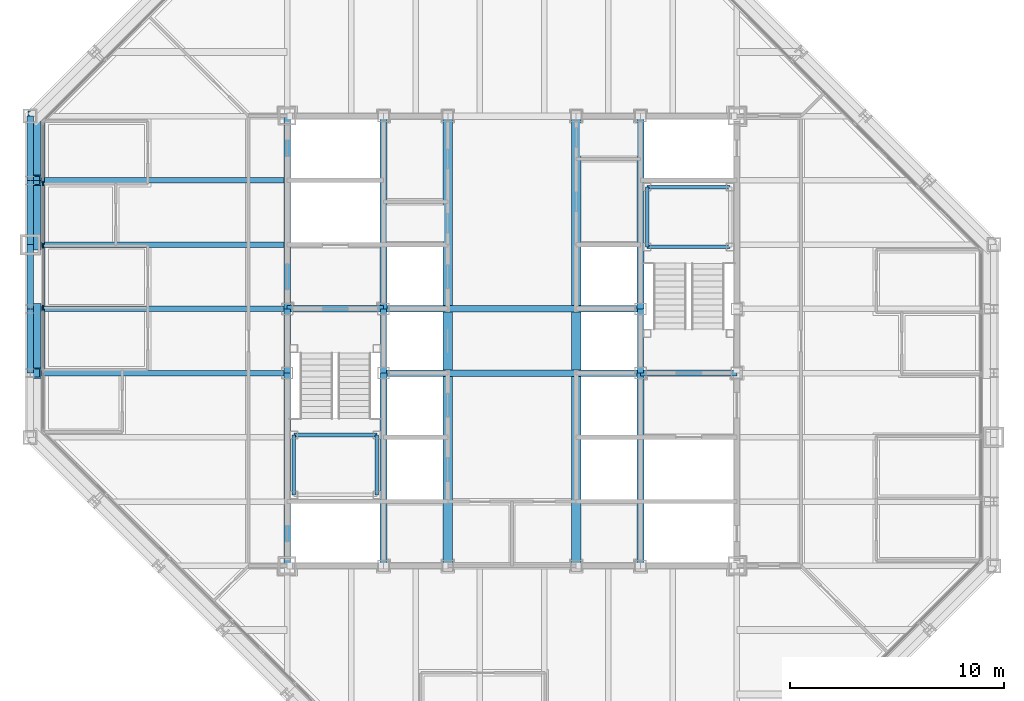
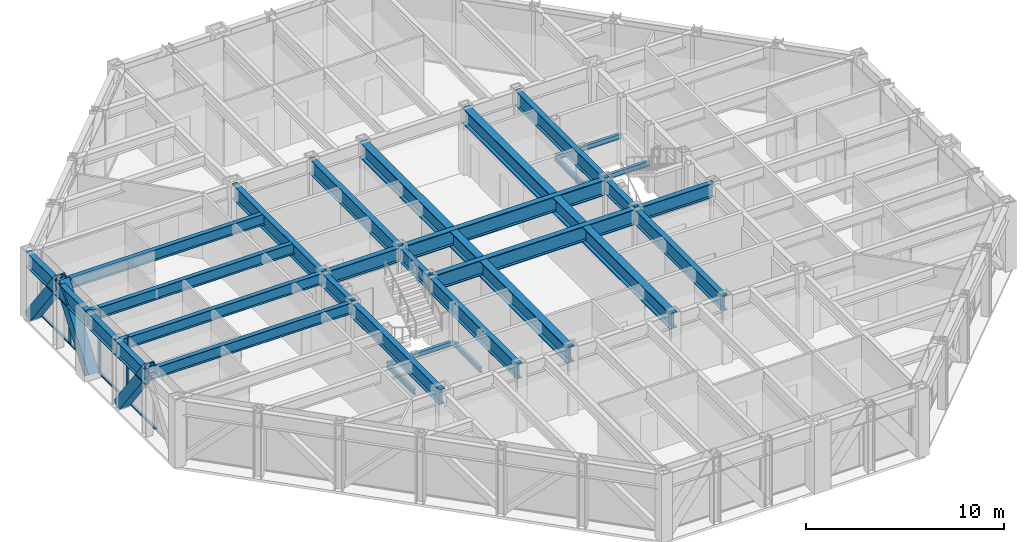
# One storey, part 6 of 16: 33 beams, 10 members, 1 element without a shape of its own.
"""IFC4 building model written with IfcOpenShell, lengths in metres."""

from ifc_helpers import new_model, si_unit, direction, frame, origin, origin_2d, place, context, subcontext, project, spatial, rectangle, hollow_rectangle, i_section, extrude, material, layer, layer_set, material_profile, profile_set, type_object, element, aggregate, save


model = new_model("IFC4")

# Units and contexts
model_context = context("Model", 3, precision=1e-05, world=origin(), true_north=direction((0.0, 1.0)))
body_context = subcontext(model_context, "Body", "Model", "MODEL_VIEW")
ifc_project = project(units=[si_unit("LENGTHUNIT", "METRE"), si_unit("AREAUNIT", "SQUARE_METRE"), si_unit("VOLUMEUNIT", "CUBIC_METRE"), si_unit("PLANEANGLEUNIT", "RADIAN"), si_unit("MASSUNIT", "GRAM", prefix="KILO")], contexts=[model_context])

# Site, building, storey
site_placement = place(None, origin())
site = spatial("IfcSite", under=ifc_project, at=site_placement, CompositionType="ELEMENT")
building_placement = place(site_placement, origin())
building = spatial("IfcBuilding", under=site, at=building_placement, Name="Chuquiago Exchange Tower", CompositionType="ELEMENT")
storey_placement = place(building_placement, frame((0.0, 0.0, 222.300048828125)))
storey = spatial("IfcBuildingStorey", under=building, at=storey_placement, Name="L49", CompositionType="ELEMENT", Elevation=222.300048828125)

# Beams
ifc_material_1 = material(Name="Steel ASTM A992", Category="steel")
ifc_material_profile_1 = material_profile(ifc_material_1, i_section(OverallWidth=0.25390625, OverallDepth=0.683349609375, WebThickness=0.012451171875, FlangeThickness=0.018798828125, at=origin_2d()), Name="W27X94")
ifc_profile_set_1 = profile_set([ifc_material_profile_1], Name="Steel ASTM A992")
beam_type_1 = type_object("IfcBeamType", Name="B1 W27X94", PredefinedType="BEAM", material=ifc_profile_set_1)
for number, where, z_axis, x_axis, name in (
    (1, (12.0, 21.0, 3.6982421875), (-1.0, 0.0, 0.0), (0.0, -1.0, 0.0), "FB-L50-infill-12_21--0_21-0"),
    (2, (12.0, 24.0, 3.6982421875), (-1.0, 0.0, 0.0), (0.0, -1.0, 0.0), "FB-L50-infill-12_24--0_24-0"),
    (3, (12.0, 27.0, 3.6982421875), (-1.0, 0.0, 0.0), (0.0, -1.0, 0.0), "FB-L50-infill-12_27--0_27-0"),
    (4, (12.0, 30.0, 3.6982421875), (-1.0, 0.0, 0.0), (0.0, -1.0, 0.0), "FB-L50-infill-12_30--0_30-0"),
):
    element("IfcBeam", number, at=place(storey_placement, frame(where, z_axis=z_axis, x_axis=x_axis)), inside=storey, type_object=beam_type_1, Name=name, PredefinedType="BEAM", context=body_context, shape_type="SweptSolid", body=[
        extrude(i_section(OverallWidth=0.25390625, OverallDepth=0.683349609375, WebThickness=0.012451171875, FlangeThickness=0.018798828125, at=origin_2d()), origin(), (0.0, 0.0, 1.0), 12.0),
    ])
ifc_material_2 = material(Name="Steel ASTM A992", Category="steel")
ifc_material_profile_2 = material_profile(ifc_material_2, i_section(OverallWidth=0.307373046875, OverallDepth=0.927001953125, WebThickness=0.01953125, FlangeThickness=0.031982421875, at=origin_2d()), Name="W36X194")
ifc_profile_set_2 = profile_set([ifc_material_profile_2], Name="Steel ASTM A992")
beam_type_2 = type_object("IfcBeamType", Name="B10 W36X194", PredefinedType="BEAM", material=ifc_profile_set_2)
for number, where, z_axis, x_axis, name in (
    (5, (12.0, 12.0, 3.576416015625), (0.0, 1.0, 0.0), (-1.0, 0.0, 0.0), "CB-L50-12_12-12_21"),
    (6, (12.0, 24.0, 3.576416015625), (0.0, 1.0, 0.0), (-1.0, 0.0, 0.0), "CB-L50-12_24-12_33"),
    (7, (16.5, 12.0, 3.576416015625), (0.0, 1.0, 0.0), (-1.0, 0.0, 0.0), "CB-L50-16.5_12-16.5_21"),
    (8, (16.5, 24.0, 3.576416015625), (0.0, 1.0, 0.0), (-1.0, 0.0, 0.0), "CB-L50-16.5_24-16.5_33"),
    (9, (28.5, 12.0, 3.576416015625), (0.0, 1.0, 0.0), (-1.0, 0.0, 0.0), "CB-L50-28.5_12-28.5_21"),
    (10, (28.5, 24.0, 3.576416015625), (0.0, 1.0, 0.0), (-1.0, 0.0, 0.0), "CB-L50-28.5_24-28.5_33"),
):
    element("IfcBeam", number, at=place(storey_placement, frame(where, z_axis=z_axis, x_axis=x_axis)), inside=storey, type_object=beam_type_2, Name=name, PredefinedType="BEAM", context=body_context, shape_type="SweptSolid", body=[
        extrude(i_section(OverallWidth=0.307373046875, OverallDepth=0.927001953125, WebThickness=0.01953125, FlangeThickness=0.031982421875, at=origin_2d()), origin(), (0.0, 0.0, 1.0), 9.0),
    ])
ifc_material_3 = material(Name="Steel ASTM A992", Category="steel")
ifc_material_profile_3 = material_profile(ifc_material_3, i_section(OverallWidth=0.309814453125, OverallDepth=0.949951171875, WebThickness=0.0244140625, FlangeThickness=0.0439453125, at=origin_2d()), Name="W36X256")
ifc_profile_set_3 = profile_set([ifc_material_profile_3], Name="Steel ASTM A992")
beam_type_3 = type_object("IfcBeamType", Name="B11 W36X256", PredefinedType="BEAM", material=ifc_profile_set_3)
for number, where, z_axis, x_axis, name in (
    (11, (16.5, 21.0, 3.56494140625), (1.0, 0.0, 0.0), (0.0, 1.0, 0.0), "CB-L50-16.5_21-28.5_21"),
    (12, (16.5, 24.0, 3.56494140625), (1.0, 0.0, 0.0), (0.0, 1.0, 0.0), "CB-L50-16.5_24-28.5_24"),
):
    element("IfcBeam", number, at=place(storey_placement, frame(where, z_axis=z_axis, x_axis=x_axis)), inside=storey, type_object=beam_type_3, Name=name, PredefinedType="BEAM", context=body_context, shape_type="SweptSolid", body=[
        extrude(i_section(OverallWidth=0.309814453125, OverallDepth=0.949951171875, WebThickness=0.0244140625, FlangeThickness=0.0439453125, at=origin_2d()), origin(), (0.0, 0.0, 1.0), 12.0),
    ])
ifc_material_4 = material(Name="Steel ASTM A992", Category="steel")
ifc_material_profile_4 = material_profile(ifc_material_4, i_section(OverallWidth=0.4267578125, OverallDepth=0.975341796875, WebThickness=0.031005859375, FlangeThickness=0.055908203125, at=origin_2d()), Name="W36X395")
ifc_profile_set_4 = profile_set([ifc_material_profile_4], Name="Steel ASTM A992")
beam_type_4 = type_object("IfcBeamType", Name="B12 W36X395", PredefinedType="BEAM", material=ifc_profile_set_4)
beam_1_placement = place(storey_placement, frame((19.5, 12.0, 3.55224609375), z_axis=(0.0, 1.0, 0.0), x_axis=(-1.0, 0.0, 0.0)))
element("IfcBeam", 13, at=beam_1_placement, inside=storey, type_object=beam_type_4, Name="CB-L50-19.5_12-19.5_20.8451", PredefinedType="BEAM", context=body_context, shape_type="SweptSolid", body=[
    extrude(i_section(OverallWidth=0.4267578125, OverallDepth=0.975341796875, WebThickness=0.031005859375, FlangeThickness=0.055908203125, at=origin_2d()), origin(), (0.0, 0.0, 1.0), 8.84521484375),
])
beam_2_placement = place(storey_placement, frame((19.5, 21.15478515625, 3.55224609375), z_axis=(0.0, 1.0, 0.0), x_axis=(-1.0, 0.0, 0.0)))
element("IfcBeam", 14, at=beam_2_placement, inside=storey, type_object=beam_type_4, Name="CB-L50-19.5_21.1549-19.5_23.8451", PredefinedType="BEAM", context=body_context, shape_type="SweptSolid", body=[
    extrude(i_section(OverallWidth=0.4267578125, OverallDepth=0.975341796875, WebThickness=0.031005859375, FlangeThickness=0.055908203125, at=origin_2d()), origin(), (0.0, 0.0, 1.0), 2.6904296875),
])
for number, where, z_axis, x_axis, name in (
    (15, (19.5, 24.15478515625, 3.55224609375), (0.0, 1.0, 0.0), (-1.0, 0.0, 0.0), "CB-L50-19.5_24.1549-19.5_33"),
    (16, (25.5, 12.0, 3.55224609375), (0.0, 1.0, 0.0), (-1.0, 0.0, 0.0), "CB-L50-25.5_12-25.5_20.8451"),
):
    element("IfcBeam", number, at=place(storey_placement, frame(where, z_axis=z_axis, x_axis=x_axis)), inside=storey, type_object=beam_type_4, Name=name, PredefinedType="BEAM", context=body_context, shape_type="SweptSolid", body=[
        extrude(i_section(OverallWidth=0.4267578125, OverallDepth=0.975341796875, WebThickness=0.031005859375, FlangeThickness=0.055908203125, at=origin_2d()), origin(), (0.0, 0.0, 1.0), 8.84521484375),
    ])
beam_3_placement = place(storey_placement, frame((25.5, 21.15478515625, 3.55224609375), z_axis=(0.0, 1.0, 0.0), x_axis=(-1.0, 0.0, 0.0)))
element("IfcBeam", 17, at=beam_3_placement, inside=storey, type_object=beam_type_4, Name="CB-L50-25.5_21.1549-25.5_23.8451", PredefinedType="BEAM", context=body_context, shape_type="SweptSolid", body=[
    extrude(i_section(OverallWidth=0.4267578125, OverallDepth=0.975341796875, WebThickness=0.031005859375, FlangeThickness=0.055908203125, at=origin_2d()), origin(), (0.0, 0.0, 1.0), 2.6904296875),
])
beam_4_placement = place(storey_placement, frame((25.5, 24.15478515625, 3.55224609375), z_axis=(0.0, 1.0, 0.0), x_axis=(-1.0, 0.0, 0.0)))
element("IfcBeam", 18, at=beam_4_placement, inside=storey, type_object=beam_type_4, Name="CB-L50-25.5_24.1549-25.5_33", PredefinedType="BEAM", context=body_context, shape_type="SweptSolid", body=[
    extrude(i_section(OverallWidth=0.4267578125, OverallDepth=0.975341796875, WebThickness=0.031005859375, FlangeThickness=0.055908203125, at=origin_2d()), origin(), (0.0, 0.0, 1.0), 8.84521484375),
])
ifc_material_5 = material(Name="Steel ASTM A992", Category="steel")
ifc_material_profile_5 = material_profile(ifc_material_5, i_section(OverallWidth=0.2919921875, OverallDepth=0.8583984375, WebThickness=0.01708984375, FlangeThickness=0.031005859375, at=origin_2d()), Name="W33X169")
ifc_profile_set_5 = profile_set([ifc_material_profile_5], Name="Steel ASTM A992")
beam_type_5 = type_object("IfcBeamType", Name="B3 W33X169", PredefinedType="BEAM", material=ifc_profile_set_5)
for number, where, z_axis, x_axis, name in (
    (19, (12.0, 21.0, 3.610595703125), (0.0, 1.0, 0.0), (-1.0, 0.0, 0.0), "CB-L50-12_21-12_24"),
    (20, (16.5, 21.0, 3.610595703125), (0.0, 1.0, 0.0), (-1.0, 0.0, 0.0), "CB-L50-16.5_21-16.5_24"),
    (21, (28.5, 21.0, 3.610595703125), (0.0, 1.0, 0.0), (-1.0, 0.0, 0.0), "CB-L50-28.5_21-28.5_24"),
):
    element("IfcBeam", number, at=place(storey_placement, frame(where, z_axis=z_axis, x_axis=x_axis)), inside=storey, type_object=beam_type_5, Name=name, PredefinedType="BEAM", context=body_context, shape_type="SweptSolid", body=[
        extrude(i_section(OverallWidth=0.2919921875, OverallDepth=0.8583984375, WebThickness=0.01708984375, FlangeThickness=0.031005859375, at=origin_2d()), origin(), (0.0, 0.0, 1.0), 3.0),
    ])
for number, where, z_axis, x_axis, name in (
    (22, (28.5, 21.0, 3.610595703125), (1.0, 0.0, 0.0), (0.0, 1.0, 0.0), "CB-L50-28.5_21-33_21"),
    (23, (12.0, 24.0, 3.610595703125), (1.0, 0.0, 0.0), (0.0, 1.0, 0.0), "CB-L50-12_24-16.5_24"),
):
    element("IfcBeam", number, at=place(storey_placement, frame(where, z_axis=z_axis, x_axis=x_axis)), inside=storey, type_object=beam_type_5, Name=name, PredefinedType="BEAM", context=body_context, shape_type="SweptSolid", body=[
        extrude(i_section(OverallWidth=0.2919921875, OverallDepth=0.8583984375, WebThickness=0.01708984375, FlangeThickness=0.031005859375, at=origin_2d()), origin(), (0.0, 0.0, 1.0), 4.5),
    ])

# Curtain wall, members
ifc_material_6 = material(Name="Aluminium curtain wall system", Category="aluminium")
ifc_layer = layer(ifc_material_6, 0.22509765625)
ifc_layer_set = layer_set([ifc_layer], Name="CW2 office curtain wall")
curtain_wall_type = type_object("IfcCurtainWallType", Name="CW2 office curtain wall", PredefinedType="NOTDEFINED", material=ifc_layer_set)
curtain_wall_placement = place(storey_placement, origin())
curtain_wall = element("IfcCurtainWall", 24, at=curtain_wall_placement, inside=storey, type_object=curtain_wall_type, Name="CW2 curtain wall L49", PredefinedType="NOTDEFINED")
ifc_material_7 = material(Name="Aluminium mullion, pale anodised", Category="aluminium")
ifc_material_profile_6 = material_profile(ifc_material_7, rectangle(XDim=0.06494140625, YDim=0.22509765625, at=origin_2d()), Name="AL 65x225")
ifc_profile_set_6 = profile_set([ifc_material_profile_6], Name="Aluminium mullion, pale anodised")
member_type_1 = type_object("IfcMemberType", Name="CW2-M mullion 65x225", PredefinedType="MULLION", material=ifc_profile_set_6)
member_1_placement = place(storey_placement, frame((0.60009765625, 29.850830078125, 0.0), z_axis=(0.0, 0.0, 1.0), x_axis=(1.0, 0.0, 0.0)))
member_1 = element("IfcMember", 25, at=member_1_placement, type_object=member_type_1, Name="CW2 mullion 2", PredefinedType="MULLION", context=body_context, shape_type="SweptSolid", body=[
    extrude(rectangle(XDim=0.06494140625, YDim=0.22509765625, at=origin_2d()), origin(), (0.0, 0.0, 1.0), 4.0400390625),
])
member_2_placement = place(storey_placement, frame((0.60009765625, 26.9501953125, 0.0), z_axis=(0.0, 0.0, 1.0), x_axis=(1.0, 0.0, 0.0)))
member_2 = element("IfcMember", 26, at=member_2_placement, type_object=member_type_1, Name="CW2 mullion 3", PredefinedType="MULLION", context=body_context, shape_type="SweptSolid", body=[
    extrude(rectangle(XDim=0.06494140625, YDim=0.22509765625, at=origin_2d()), origin(), (0.0, 0.0, 1.0), 4.0400390625),
])
member_3_placement = place(storey_placement, frame((0.60009765625, 24.0498046875, 0.0), z_axis=(0.0, 0.0, 1.0), x_axis=(1.0, 0.0, 0.0)))
member_3 = element("IfcMember", 27, at=member_3_placement, type_object=member_type_1, Name="CW2 mullion 4", PredefinedType="MULLION", context=body_context, shape_type="SweptSolid", body=[
    extrude(rectangle(XDim=0.06494140625, YDim=0.22509765625, at=origin_2d()), origin(), (0.0, 0.0, 1.0), 4.0400390625),
])
ifc_material_8 = material(Name="Aluminium transom, pale anodised", Category="aluminium")
ifc_material_profile_7 = material_profile(ifc_material_8, rectangle(XDim=0.139892578125, YDim=0.06494140625, at=origin_2d()), Name="AL 140x65")
ifc_profile_set_7 = profile_set([ifc_material_profile_7], Name="Aluminium transom, pale anodised")
member_type_2 = type_object("IfcMemberType", Name="CW2-T transom 65x140", PredefinedType="MULLION", material=ifc_profile_set_7)
member_4_placement = place(storey_placement, frame((0.60009765625, 32.6865234375, 0.032470703125), z_axis=(0.0, -1.0, 0.0), x_axis=(1.0, 0.0, 0.0)))
member_4 = element("IfcMember", 28, at=member_4_placement, type_object=member_type_2, Name="CW2 transom 1.1", PredefinedType="MULLION", context=body_context, shape_type="SweptSolid", body=[
    extrude(rectangle(XDim=0.139892578125, YDim=0.06494140625, at=origin_2d()), origin(), (0.0, 0.0, 1.0), 2.80322265625),
])
member_5_placement = place(storey_placement, frame((0.60009765625, 29.818359375, 0.032470703125), z_axis=(0.0, -1.0, 0.0), x_axis=(1.0, 0.0, 0.0)))
member_5 = element("IfcMember", 29, at=member_5_placement, type_object=member_type_2, Name="CW2 transom 2.1", PredefinedType="MULLION", context=body_context, shape_type="SweptSolid", body=[
    extrude(rectangle(XDim=0.139892578125, YDim=0.06494140625, at=origin_2d()), origin(), (0.0, 0.0, 1.0), 2.83544921875),
])
member_6_placement = place(storey_placement, frame((0.60009765625, 26.917724609375, 0.032470703125), z_axis=(0.0, -1.0, 0.0), x_axis=(1.0, 0.0, 0.0)))
member_6 = element("IfcMember", 30, at=member_6_placement, type_object=member_type_2, Name="CW2 transom 3.1", PredefinedType="MULLION", context=body_context, shape_type="SweptSolid", body=[
    extrude(rectangle(XDim=0.139892578125, YDim=0.06494140625, at=origin_2d()), origin(), (0.0, 0.0, 1.0), 2.83544921875),
])
member_7_placement = place(storey_placement, frame((0.60009765625, 24.01708984375, 0.032470703125), z_axis=(0.0, -1.0, 0.0), x_axis=(1.0, 0.0, 0.0)))
member_7 = element("IfcMember", 31, at=member_7_placement, type_object=member_type_2, Name="CW2 transom 4.1", PredefinedType="MULLION", context=body_context, shape_type="SweptSolid", body=[
    extrude(rectangle(XDim=0.139892578125, YDim=0.06494140625, at=origin_2d()), origin(), (0.0, 0.0, 1.0), 2.83544921875),
])
aggregate(curtain_wall, [member_1, member_2, member_3, member_4, member_5, member_6, member_7])

# Beams
ifc_material_9 = material(Name="Steel ASTM A992", Category="steel")
ifc_material_profile_8 = material_profile(ifc_material_9, i_section(OverallWidth=0.164794921875, OverallDepth=0.309814453125, WebThickness=0.005859375, FlangeThickness=0.009765625, at=origin_2d()), Name="W12X26")
ifc_profile_set_8 = profile_set([ifc_material_profile_8], Name="Steel ASTM A992")
beam_type_6 = type_object("IfcBeamType", Name="LS1 W12X26", PredefinedType="BEAM", material=ifc_profile_set_8)
for number, where, z_axis, x_axis, name in (
    (32, (12.31005859375, 15.31005859375, 1.7451171875), (0.0, 1.0, 0.0), (-1.0, 0.0, 0.0), "Stair ST1 L49 landing 1 stringer"),
    (33, (16.18994140625, 15.31005859375, 1.7451171875), (0.0, 1.0, 0.0), (-1.0, 0.0, 0.0), "Stair ST1 L49 landing 1 stringer"),
    (34, (28.81005859375, 26.889892578125, 1.7451171875), (0.0, 1.0, 0.0), (-1.0, 0.0, 0.0), "Stair ST2 L49 landing 1 stringer"),
):
    element("IfcBeam", number, at=place(storey_placement, frame(where, z_axis=z_axis, x_axis=x_axis)), inside=storey, type_object=beam_type_6, Name=name, PredefinedType="BEAM", context=body_context, shape_type="SweptSolid", body=[
        extrude(i_section(OverallWidth=0.164794921875, OverallDepth=0.309814453125, WebThickness=0.005859375, FlangeThickness=0.009765625, at=origin_2d()), origin(), (0.0, 0.0, 1.0), 2.800048828125),
    ])
ifc_material_10 = material(Name="Steel ASTM A992", Category="steel")
ifc_material_profile_9 = material_profile(ifc_material_10, i_section(OverallWidth=0.164794921875, OverallDepth=0.309814453125, WebThickness=0.005859375, FlangeThickness=0.009765625, at=origin_2d()), Name="W12X26")
ifc_profile_set_9 = profile_set([ifc_material_profile_9], Name="Steel ASTM A992")
beam_type_7 = type_object("IfcBeamType", Name="LT1 W12X26", PredefinedType="BEAM", material=ifc_profile_set_9)
for number, where, z_axis, x_axis, name in (
    (35, (12.31005859375, 18.110107421875, 1.7451171875), (1.0, 0.0, 0.0), (0.0, 1.0, 0.0), "Stair ST1 L49 landing 1 trimmer"),
    (36, (28.81005859375, 29.68994140625, 1.7451171875), (1.0, 0.0, 0.0), (0.0, 1.0, 0.0), "Stair ST2 L49 landing 1 trimmer"),
    (37, (28.81005859375, 26.889892578125, 1.7451171875), (1.0, 0.0, 0.0), (0.0, 1.0, 0.0), "Stair ST2 L49 landing 1 trimmer"),
):
    element("IfcBeam", number, at=place(storey_placement, frame(where, z_axis=z_axis, x_axis=x_axis)), inside=storey, type_object=beam_type_7, Name=name, PredefinedType="BEAM", context=body_context, shape_type="SweptSolid", body=[
        extrude(i_section(OverallWidth=0.164794921875, OverallDepth=0.309814453125, WebThickness=0.005859375, FlangeThickness=0.009765625, at=origin_2d()), origin(), (0.0, 0.0, 1.0), 3.8798828125),
    ])

# Members
ifc_material_11 = material(Name="Steel ASTM A572 Grade 50", Category="steel")
ifc_material_profile_10 = material_profile(ifc_material_11, hollow_rectangle(XDim=0.60009765625, YDim=0.60009765625, WallThickness=0.06005859375, at=origin_2d()), Name="BOX600X600X60")
ifc_profile_set_10 = profile_set([ifc_material_profile_10], Name="Steel ASTM A572 Grade 50")
member_type_3 = type_object("IfcMemberType", Name="MB3 BOX600X600X60", PredefinedType="BRACE", material=ifc_profile_set_10)
for number, where, z_axis, x_axis, name in (
    (38, (0.205078125, 33.0, 0.0), (0.0, -0.596173923302, 0.802855312728), (1.0, 0.0, 0.0), "Mega diagonal L49 W face"),
    (39, (0.205078125, 27.0, 0.0), (0.0, 0.596173923302, 0.802855312728), (-1.0, 0.0, 0.0), "Mega diagonal L49 W face"),
    (40, (0.205078125, 24.0, 0.0), (0.0, -0.596173923302, 0.802855312728), (1.0, 0.0, 0.0), "Mega diagonal L49 W face"),
):
    element("IfcMember", number, at=place(storey_placement, frame(where, z_axis=z_axis, x_axis=x_axis)), inside=storey, type_object=member_type_3, Name=name, PredefinedType="BRACE", context=body_context, shape_type="SweptSolid", body=[
        extrude(hollow_rectangle(XDim=0.60009765625, YDim=0.60009765625, WallThickness=0.06005859375, at=origin_2d()), origin(), (0.0, 0.0, 1.0), 5.031982421875),
    ])

# Beams
ifc_material_12 = material(Name="Steel ASTM A992", Category="steel")
ifc_material_profile_11 = material_profile(ifc_material_12, i_section(OverallWidth=0.307373046875, OverallDepth=0.927001953125, WebThickness=0.01953125, FlangeThickness=0.031982421875, at=origin_2d()), Name="W36X194")
ifc_profile_set_11 = profile_set([ifc_material_profile_11], Name="Steel ASTM A992")
beam_type_8 = type_object("IfcBeamType", Name="SP3 W36X194", PredefinedType="SPANDREL", material=ifc_profile_set_11)
for number, where, z_axis, x_axis, name in (
    (41, (0.0, 33.0, 3.576416015625), (0.0, -1.0, 0.0), (1.0, 0.0, 0.0), "SPB-L50-0_33-0_30"),
    (42, (0.0, 30.0, 3.576416015625), (0.0, -1.0, 0.0), (1.0, 0.0, 0.0), "SPB-L50-0_30-0_27"),
    (43, (0.0, 27.0, 3.576416015625), (0.0, -1.0, 0.0), (1.0, 0.0, 0.0), "SPB-L50-0_27-0_24"),
    (44, (0.0, 24.0, 3.576416015625), (0.0, -1.0, 0.0), (1.0, 0.0, 0.0), "SPB-L50-0_24-0_21"),
):
    element("IfcBeam", number, at=place(storey_placement, frame(where, z_axis=z_axis, x_axis=x_axis)), inside=storey, type_object=beam_type_8, Name=name, PredefinedType="SPANDREL", context=body_context, shape_type="SweptSolid", body=[
        extrude(i_section(OverallWidth=0.307373046875, OverallDepth=0.927001953125, WebThickness=0.01953125, FlangeThickness=0.031982421875, at=origin_2d()), origin(), (0.0, 0.0, 1.0), 3.0),
    ])

save(model, "model.ifc")
